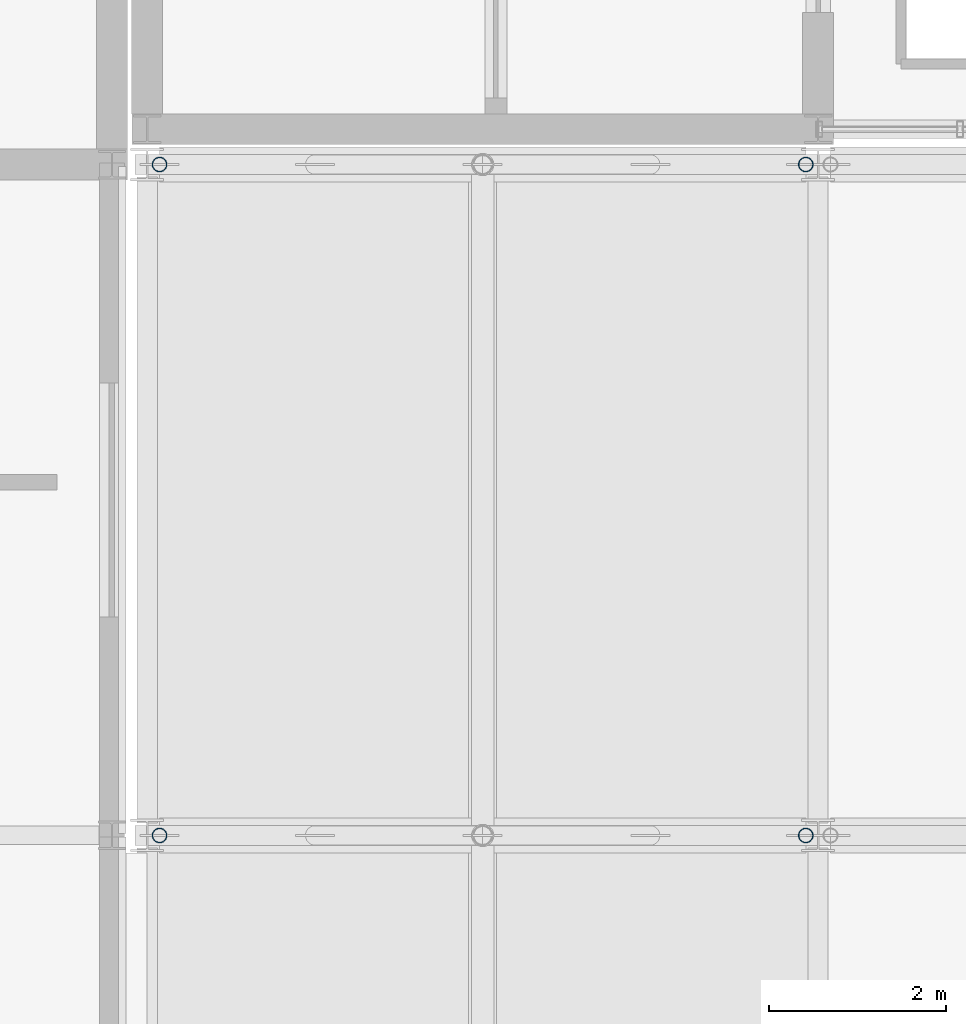
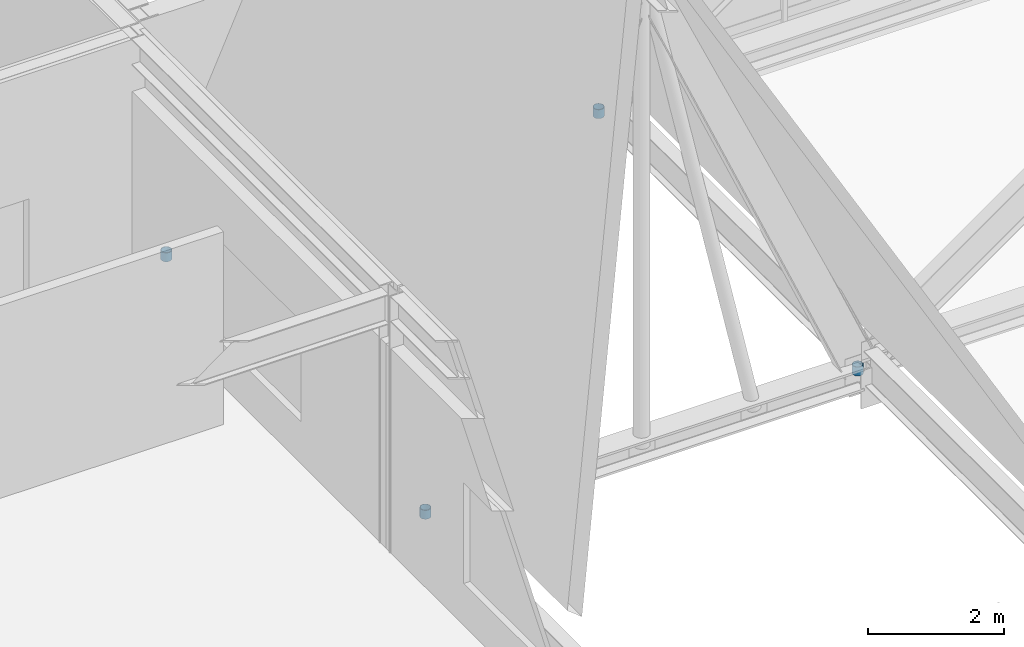
# One storey, part 64 of 100: 4 members.
"""IFC4 building model written with IfcOpenShell, lengths in metres."""

from ifc_helpers import new_model, si_unit, direction, frame, origin, origin_2d, place, context, subcontext, project, spatial, hollow_circle, extrude, material, material_profile, profile_set, type_object, element, save


model = new_model("IFC4")

# Units and contexts
model_context = context("Model", 3, precision=1e-05, world=origin(), true_north=direction((0.0, 1.0)))
body_context = subcontext(model_context, "Body", "Model", "MODEL_VIEW")
ifc_project = project(units=[si_unit("LENGTHUNIT", "METRE"), si_unit("AREAUNIT", "SQUARE_METRE"), si_unit("VOLUMEUNIT", "CUBIC_METRE"), si_unit("PLANEANGLEUNIT", "RADIAN"), si_unit("MASSUNIT", "GRAM", prefix="KILO")], contexts=[model_context])

# Site, building, storey
site_placement = place(None, origin())
site = spatial("IfcSite", under=ifc_project, at=site_placement, CompositionType="ELEMENT")
building_placement = place(site_placement, origin())
building = spatial("IfcBuilding", under=site, at=building_placement, Name="Zulena Civic Courthouse", CompositionType="ELEMENT")
storey_placement = place(building_placement, frame((0.0, 0.0, 20.39990234375)))
storey = spatial("IfcBuildingStorey", under=building, at=storey_placement, Name="L04", CompositionType="ELEMENT", Elevation=20.39990234375)

# Members
ifc_material = material(Name="Steel ASTM A500 Grade C", Category="steel")
ifc_material_profile = material_profile(ifc_material, hollow_circle(Radius=0.083984375, WallThickness=0.00732421875, at=origin_2d()), Name="HSS6.625X0.312")
ifc_profile_set = profile_set([ifc_material_profile], Name="Steel ASTM A500 Grade C")
member_type = type_object("IfcMemberType", Name="RoofWeb_CHS6", PredefinedType="USERDEFINED", material=ifc_profile_set)
for number, where, z_axis, x_axis, name in (
    (1, (124.5400390625, 22.800048828125, 0.325439453125), (0.0, 0.0, 1.0), (1.0, 0.0, 0.0), "mem:fold:postW:05:22.8"),
    (2, (131.860107421875, 22.800048828125, 0.325439453125), (0.0, 0.0, 1.0), (1.0, 0.0, 0.0), "mem:fold:postE:05:22.8"),
    (3, (124.5400390625, 30.39990234375, 0.325439453125), (0.0, 0.0, 1.0), (1.0, 0.0, 0.0), "mem:fold:postW:05:30.4"),
    (4, (131.860107421875, 30.39990234375, 0.325439453125), (0.0, 0.0, 1.0), (1.0, 0.0, 0.0), "mem:fold:postE:05:30.4"),
):
    element("IfcMember", number, at=place(storey_placement, frame(where, z_axis=z_axis, x_axis=x_axis)), inside=storey, type_object=member_type, Name=name, ObjectType="ROOF TRUSS", PredefinedType="USERDEFINED", context=body_context, shape_type="SweptSolid", body=[
        extrude(hollow_circle(Radius=0.083984375, WallThickness=0.00732421875, at=origin_2d()), origin(), (0.0, 0.0, 1.0), 0.16015625),
    ])

save(model, "model.ifc")
